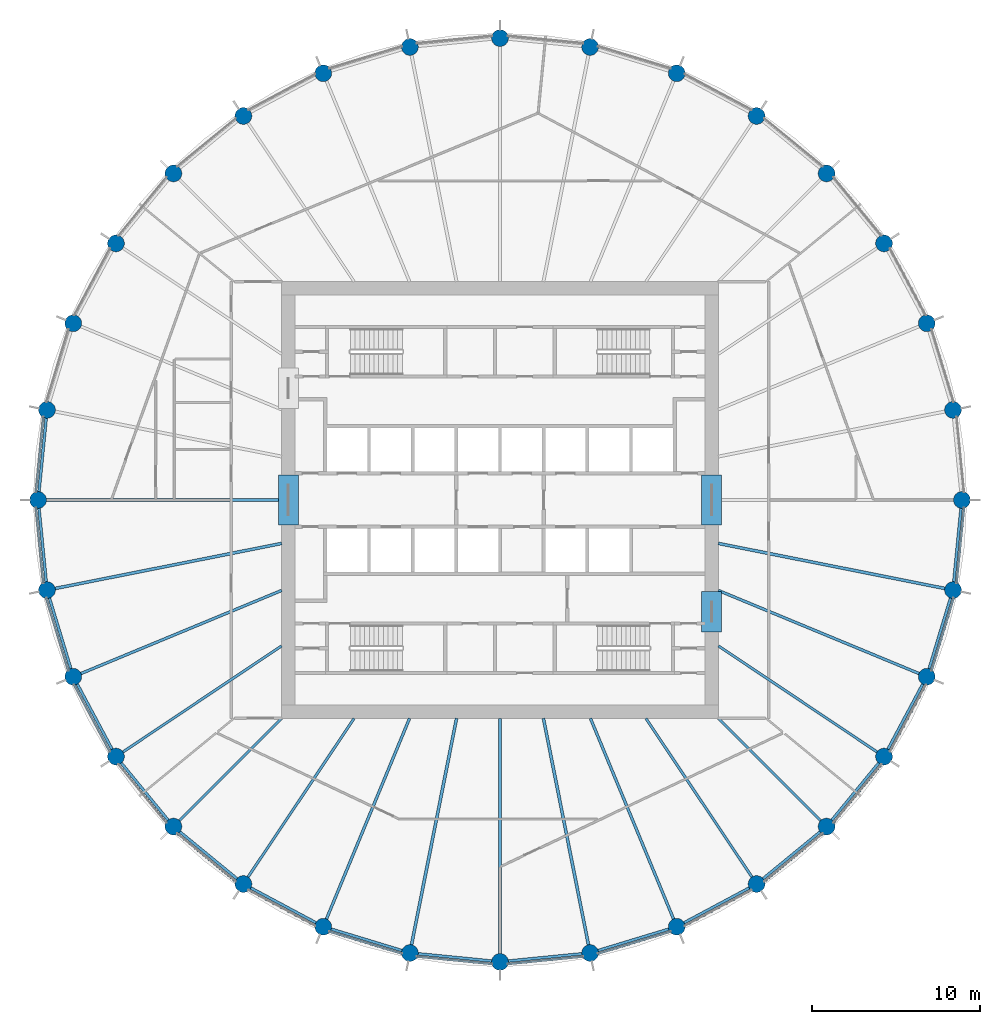
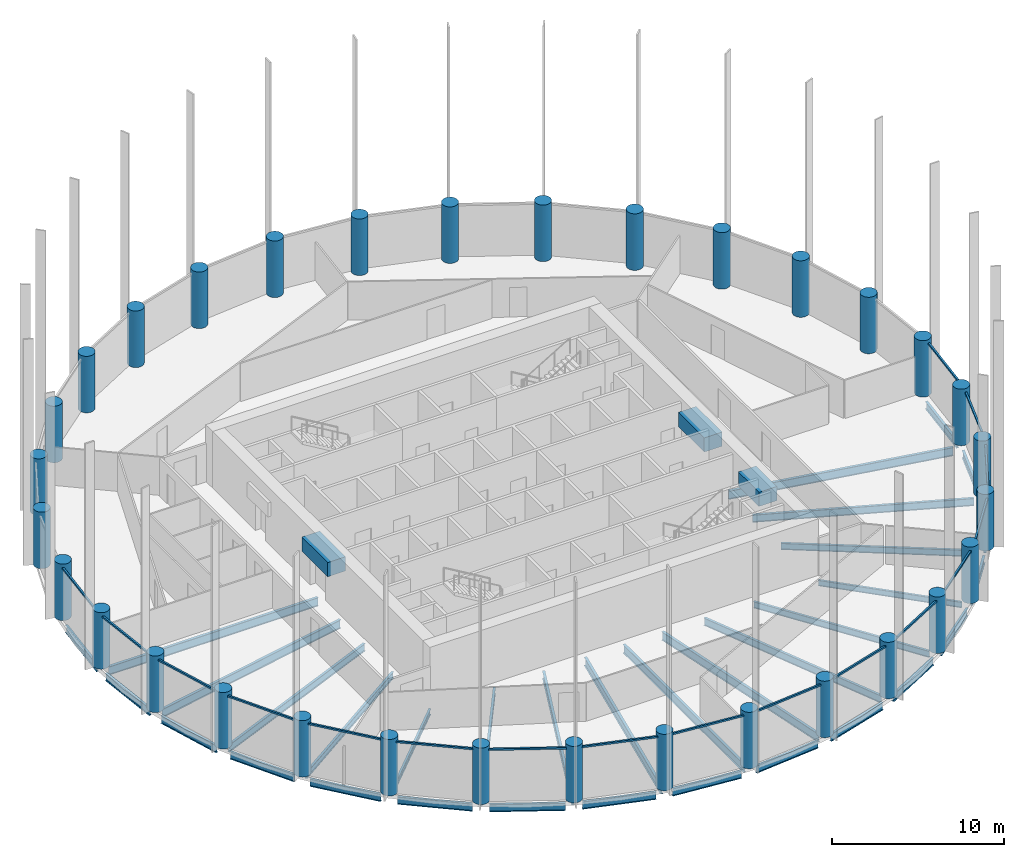
# One storey, part 1 of 8: 36 beams, 32 columns, 17 members, 17 elements without a shape of their own.
"""IFC4 building model written with IfcOpenShell, lengths in metres."""

from ifc_helpers import new_model, si_unit, direction, frame, origin, origin_2d, place, context, subcontext, project, spatial, rectangle, circle, i_section, extrude, material, material_profile, profile_set, type_object, element, aggregate, save


model = new_model("IFC4")

# Units and contexts
model_context = context("Model", 3, precision=1e-05, world=origin(), true_north=direction((0.0, 1.0)))
body_context = subcontext(model_context, "Body", "Model", "MODEL_VIEW")
ifc_project = project(units=[si_unit("LENGTHUNIT", "METRE"), si_unit("AREAUNIT", "SQUARE_METRE"), si_unit("VOLUMEUNIT", "CUBIC_METRE"), si_unit("PLANEANGLEUNIT", "RADIAN"), si_unit("MASSUNIT", "GRAM", prefix="KILO")], contexts=[model_context])

# Site, building, storey
site_placement = place(None, origin())
site = spatial("IfcSite", under=ifc_project, at=site_placement, CompositionType="ELEMENT")
building_placement = place(site_placement, origin())
building = spatial("IfcBuilding", under=site, at=building_placement, Name="Corvane Civic Tower", CompositionType="ELEMENT")
storey_placement = place(building_placement, frame((0.0, 0.0, 233.5)))
storey = spatial("IfcBuildingStorey", under=building, at=storey_placement, Name="L55", CompositionType="ELEMENT", Elevation=233.5)

# Columns
ifc_material_1 = material(Name="Concrete C60/75", Category="concrete")
ifc_material_profile_1 = material_profile(ifc_material_1, circle(Radius=0.5, at=origin_2d()), Name="COLUMN 1000")
ifc_profile_set_1 = profile_set([ifc_material_profile_1], Name="Concrete C60/75")
column_type = type_object("IfcColumnType", Name="RC COLUMN COLUMN 1000", PredefinedType="COLUMN", material=ifc_profile_set_1)
for number, where, z_axis, x_axis, name in (
    (1, (0.0, 27.5, 0.0), (0.0, 0.0, 1.0), (1.0, 0.0, 0.0), "COL-L55-D01"),
    (2, (5.364990234375, 26.9716796875, 0.0), (0.0, 0.0, 1.0), (1.0, 0.0, 0.0), "COL-L55-D02"),
    (3, (10.523681640625, 25.40673828125, 0.0), (0.0, 0.0, 1.0), (1.0, 0.0, 0.0), "COL-L55-D03"),
    (4, (15.278076171875, 22.865478515625, 0.0), (0.0, 0.0, 1.0), (1.0, 0.0, 0.0), "COL-L55-D04"),
    (5, (19.445556640625, 19.445556640625, 0.0), (0.0, 0.0, 1.0), (1.0, 0.0, 0.0), "COL-L55-D05"),
    (6, (22.865478515625, 15.278076171875, 0.0), (0.0, 0.0, 1.0), (1.0, 0.0, 0.0), "COL-L55-D06"),
    (7, (25.40673828125, 10.523681640625, 0.0), (0.0, 0.0, 1.0), (1.0, 0.0, 0.0), "COL-L55-D07"),
    (8, (26.9716796875, 5.364990234375, 0.0), (0.0, 0.0, 1.0), (1.0, 0.0, 0.0), "COL-L55-D08"),
    (9, (27.5, 0.0, 0.0), (0.0, 0.0, 1.0), (1.0, 0.0, 0.0), "COL-L55-D09"),
    (10, (26.9716796875, -5.364990234375, 0.0), (0.0, 0.0, 1.0), (1.0, 0.0, 0.0), "COL-L55-D10"),
    (11, (25.40673828125, -10.523681640625, 0.0), (0.0, 0.0, 1.0), (1.0, 0.0, 0.0), "COL-L55-D11"),
    (12, (22.865478515625, -15.278076171875, 0.0), (0.0, 0.0, 1.0), (1.0, 0.0, 0.0), "COL-L55-D12"),
    (13, (19.445556640625, -19.445556640625, 0.0), (0.0, 0.0, 1.0), (1.0, 0.0, 0.0), "COL-L55-D13"),
    (14, (15.278076171875, -22.865478515625, 0.0), (0.0, 0.0, 1.0), (1.0, 0.0, 0.0), "COL-L55-D14"),
    (15, (10.523681640625, -25.40673828125, 0.0), (0.0, 0.0, 1.0), (1.0, 0.0, 0.0), "COL-L55-D15"),
    (16, (5.364990234375, -26.9716796875, 0.0), (0.0, 0.0, 1.0), (1.0, 0.0, 0.0), "COL-L55-D16"),
    (17, (0.0, -27.5, 0.0), (0.0, 0.0, 1.0), (1.0, 0.0, 0.0), "COL-L55-D17"),
    (18, (-5.364990234375, -26.9716796875, 0.0), (0.0, 0.0, 1.0), (1.0, 0.0, 0.0), "COL-L55-D18"),
    (19, (-10.523681640625, -25.40673828125, 0.0), (0.0, 0.0, 1.0), (1.0, 0.0, 0.0), "COL-L55-D19"),
    (20, (-15.278076171875, -22.865478515625, 0.0), (0.0, 0.0, 1.0), (1.0, 0.0, 0.0), "COL-L55-D20"),
    (21, (-19.445556640625, -19.445556640625, 0.0), (0.0, 0.0, 1.0), (1.0, 0.0, 0.0), "COL-L55-D21"),
    (22, (-22.865478515625, -15.278076171875, 0.0), (0.0, 0.0, 1.0), (1.0, 0.0, 0.0), "COL-L55-D22"),
    (23, (-25.40673828125, -10.523681640625, 0.0), (0.0, 0.0, 1.0), (1.0, 0.0, 0.0), "COL-L55-D23"),
    (24, (-26.9716796875, -5.364990234375, 0.0), (0.0, 0.0, 1.0), (1.0, 0.0, 0.0), "COL-L55-D24"),
    (25, (-27.5, 0.0, 0.0), (0.0, 0.0, 1.0), (1.0, 0.0, 0.0), "COL-L55-D25"),
    (26, (-26.9716796875, 5.364990234375, 0.0), (0.0, 0.0, 1.0), (1.0, 0.0, 0.0), "COL-L55-D26"),
    (27, (-25.40673828125, 10.523681640625, 0.0), (0.0, 0.0, 1.0), (1.0, 0.0, 0.0), "COL-L55-D27"),
    (28, (-22.865478515625, 15.278076171875, 0.0), (0.0, 0.0, 1.0), (1.0, 0.0, 0.0), "COL-L55-D28"),
    (29, (-19.445556640625, 19.445556640625, 0.0), (0.0, 0.0, 1.0), (1.0, 0.0, 0.0), "COL-L55-D29"),
    (30, (-15.278076171875, 22.865478515625, 0.0), (0.0, 0.0, 1.0), (1.0, 0.0, 0.0), "COL-L55-D30"),
    (31, (-10.523681640625, 25.40673828125, 0.0), (0.0, 0.0, 1.0), (1.0, 0.0, 0.0), "COL-L55-D31"),
    (32, (-5.364990234375, 26.9716796875, 0.0), (0.0, 0.0, 1.0), (1.0, 0.0, 0.0), "COL-L55-D32"),
):
    element("IfcColumn", number, at=place(storey_placement, frame(where, z_axis=z_axis, x_axis=x_axis)), inside=storey, type_object=column_type, Name=name, PredefinedType="COLUMN", context=body_context, shape_type="SweptSolid", body=[
        extrude(circle(Radius=0.5, at=origin_2d()), origin(), (0.0, 0.0, 1.0), 4.0),
    ])

# Beams
ifc_material_2 = material(Name="Concrete C50/60", Category="concrete")
ifc_material_profile_2 = material_profile(ifc_material_2, rectangle(XDim=1.199951171875, YDim=1.0, at=origin_2d()), Name="COUPLING BEAM 1200X1000")
ifc_profile_set_2 = profile_set([ifc_material_profile_2], Name="Concrete C50/60")
beam_type_1 = type_object("IfcBeamType", Name="COUPLING BEAM COUPLING BEAM 1200X1000", PredefinedType="BEAM", material=ifc_profile_set_2)
for number, where, z_axis, x_axis, name in (
    (33, (-12.60009765625, -1.5, 2.60009765625), (0.0, 1.0, 0.0), (-1.0, 0.0, 0.0), "BM-L55-cpl-CW-LW"),
    (34, (12.60009765625, -1.5, 2.60009765625), (0.0, 1.0, 0.0), (-1.0, 0.0, 0.0), "BM-L55-cpl-CW-LE"),
):
    element("IfcBeam", number, at=place(storey_placement, frame(where, z_axis=z_axis, x_axis=x_axis)), inside=storey, type_object=beam_type_1, Name=name, PredefinedType="BEAM", context=body_context, shape_type="SweptSolid", body=[
        extrude(rectangle(XDim=1.199951171875, YDim=1.0, at=origin_2d()), origin(), (0.0, 0.0, 1.0), 3.0),
    ])
beam_1_placement = place(storey_placement, frame((12.60009765625, -7.85009765625, 2.60009765625), z_axis=(0.0, 1.0, 0.0), x_axis=(-1.0, 0.0, 0.0)))
element("IfcBeam", 35, at=beam_1_placement, inside=storey, type_object=beam_type_1, Name="BM-L55-cpl-CW-ES", PredefinedType="BEAM", context=body_context, shape_type="SweptSolid", body=[
    extrude(rectangle(XDim=1.199951171875, YDim=1.0, at=origin_2d()), origin(), (0.0, 0.0, 1.0), 2.400146484375),
])
ifc_material_3 = material(Name="Steel ASTM A992 Gr 50", Category="steel")
ifc_material_profile_3 = material_profile(ifc_material_3, i_section(OverallWidth=0.165771484375, OverallDepth=0.5283203125, WebThickness=0.009765625, FlangeThickness=0.013671875, at=origin_2d()), Name="W21X50")
ifc_profile_set_3 = profile_set([ifc_material_profile_3], Name="Steel ASTM A992 Gr 50")
beam_type_2 = type_object("IfcBeamType", Name="EDGE BEAM W21X50", PredefinedType="BEAM", material=ifc_profile_set_3)
beam_2_placement = place(storey_placement, frame((27.450927734375, -0.49755859375, -0.564208984375), z_axis=(-0.097967711281, -0.995189593769, 0.0), x_axis=(0.995189593769, -0.097967711281, 0.0)))
element("IfcBeam", 36, at=beam_2_placement, inside=storey, type_object=beam_type_2, Name="BM-L55-E09", PredefinedType="BEAM", context=body_context, shape_type="SweptSolid", body=[
    extrude(i_section(OverallWidth=0.165771484375, OverallDepth=0.5283203125, WebThickness=0.009765625, FlangeThickness=0.013671875, at=origin_2d()), origin(), (0.0, 0.0, 1.0), 4.39111328125),
])
beam_3_placement = place(storey_placement, frame((26.826416015625, -5.843505859375, -0.564208984375), z_axis=(-0.290254307888, -0.956949547653, 0.0), x_axis=(0.956949547653, -0.290254307888, 0.0)))
element("IfcBeam", 37, at=beam_3_placement, inside=storey, type_object=beam_type_2, Name="BM-L55-E10", PredefinedType="BEAM", context=body_context, shape_type="SweptSolid", body=[
    extrude(i_section(OverallWidth=0.165771484375, OverallDepth=0.5283203125, WebThickness=0.009765625, FlangeThickness=0.013671875, at=origin_2d()), origin(), (0.0, 0.0, 1.0), 4.390625),
])
for number, where, z_axis, x_axis, name in (
    (38, (25.171142578125, -10.964599609375, -0.564208984375), (-0.471422006704, -0.881907756852, 0.0), (0.881907756852, -0.471422006704, 0.0), "BM-L55-E11"),
    (39, (22.54833984375, -15.66455078125, -0.564208984375), (-0.634369433447, -0.773030026524, 0.0), (0.773030026524, -0.634369433447, 0.0), "BM-L55-E12"),
    (40, (19.05908203125, -19.7626953125, -0.564208984375), (-0.773030026524, -0.634369433447, 0.0), (0.634369433447, -0.773030026524, 0.0), "BM-L55-E13"),
    (41, (14.837158203125, -23.10107421875, -0.564208984375), (-0.881907756852, -0.471422006704, 0.0), (0.471422006704, -0.881907756852, 0.0), "BM-L55-E14"),
):
    element("IfcBeam", number, at=place(storey_placement, frame(where, z_axis=z_axis, x_axis=x_axis)), inside=storey, type_object=beam_type_2, Name=name, PredefinedType="BEAM", context=body_context, shape_type="SweptSolid", body=[
        extrude(i_section(OverallWidth=0.165771484375, OverallDepth=0.5283203125, WebThickness=0.009765625, FlangeThickness=0.013671875, at=origin_2d()), origin(), (0.0, 0.0, 1.0), 4.39111328125),
    ])
beam_4_placement = place(storey_placement, frame((10.045166015625, -25.552001953125, -0.564208984375), z_axis=(-0.956949547653, -0.290254307888, 0.0), x_axis=(0.290254307888, -0.956949547653, 0.0)))
element("IfcBeam", 42, at=beam_4_placement, inside=storey, type_object=beam_type_2, Name="BM-L55-E15", PredefinedType="BEAM", context=body_context, shape_type="SweptSolid", body=[
    extrude(i_section(OverallWidth=0.165771484375, OverallDepth=0.5283203125, WebThickness=0.009765625, FlangeThickness=0.013671875, at=origin_2d()), origin(), (0.0, 0.0, 1.0), 4.390625),
])
for number, where, z_axis, x_axis, name in (
    (43, (4.867431640625, -27.020751953125, -0.564208984375), (-0.995189593769, -0.097967711281, 0.0), (0.097967711281, -0.995189593769, 0.0), "BM-L55-E16"),
    (44, (-0.49755859375, -27.450927734375, -0.564208984375), (-0.995189593769, 0.097967711281, 0.0), (-0.097967711281, -0.995189593769, 0.0), "BM-L55-E17"),
):
    element("IfcBeam", number, at=place(storey_placement, frame(where, z_axis=z_axis, x_axis=x_axis)), inside=storey, type_object=beam_type_2, Name=name, PredefinedType="BEAM", context=body_context, shape_type="SweptSolid", body=[
        extrude(i_section(OverallWidth=0.165771484375, OverallDepth=0.5283203125, WebThickness=0.009765625, FlangeThickness=0.013671875, at=origin_2d()), origin(), (0.0, 0.0, 1.0), 4.39111328125),
    ])
beam_5_placement = place(storey_placement, frame((-5.843505859375, -26.826416015625, -0.564208984375), z_axis=(-0.956949547653, 0.290254307888, 0.0), x_axis=(-0.290254307888, -0.956949547653, 0.0)))
element("IfcBeam", 45, at=beam_5_placement, inside=storey, type_object=beam_type_2, Name="BM-L55-E18", PredefinedType="BEAM", context=body_context, shape_type="SweptSolid", body=[
    extrude(i_section(OverallWidth=0.165771484375, OverallDepth=0.5283203125, WebThickness=0.009765625, FlangeThickness=0.013671875, at=origin_2d()), origin(), (0.0, 0.0, 1.0), 4.390625),
])
for number, where, z_axis, x_axis, name in (
    (46, (-10.964599609375, -25.171142578125, -0.564208984375), (-0.881907756852, 0.471422006704, 0.0), (-0.471422006704, -0.881907756852, 0.0), "BM-L55-E19"),
    (47, (-15.66455078125, -22.54833984375, -0.564208984375), (-0.773030026524, 0.634369433447, 0.0), (-0.634369433447, -0.773030026524, 0.0), "BM-L55-E20"),
    (48, (-19.7626953125, -19.05908203125, -0.564208984375), (-0.634369433447, 0.773030026524, 0.0), (-0.773030026524, -0.634369433447, 0.0), "BM-L55-E21"),
    (49, (-23.10107421875, -14.837158203125, -0.564208984375), (-0.471422006704, 0.881907756852, 0.0), (-0.881907756852, -0.471422006704, 0.0), "BM-L55-E22"),
):
    element("IfcBeam", number, at=place(storey_placement, frame(where, z_axis=z_axis, x_axis=x_axis)), inside=storey, type_object=beam_type_2, Name=name, PredefinedType="BEAM", context=body_context, shape_type="SweptSolid", body=[
        extrude(i_section(OverallWidth=0.165771484375, OverallDepth=0.5283203125, WebThickness=0.009765625, FlangeThickness=0.013671875, at=origin_2d()), origin(), (0.0, 0.0, 1.0), 4.39111328125),
    ])
beam_6_placement = place(storey_placement, frame((-25.552001953125, -10.045166015625, -0.564208984375), z_axis=(-0.290254307888, 0.956949547653, 0.0), x_axis=(-0.956949547653, -0.290254307888, 0.0)))
element("IfcBeam", 50, at=beam_6_placement, inside=storey, type_object=beam_type_2, Name="BM-L55-E23", PredefinedType="BEAM", context=body_context, shape_type="SweptSolid", body=[
    extrude(i_section(OverallWidth=0.165771484375, OverallDepth=0.5283203125, WebThickness=0.009765625, FlangeThickness=0.013671875, at=origin_2d()), origin(), (0.0, 0.0, 1.0), 4.390625),
])
for number, where, z_axis, x_axis, name in (
    (51, (-27.020751953125, -4.867431640625, -0.564208984375), (-0.097967711281, 0.995189593769, 0.0), (-0.995189593769, -0.097967711281, 0.0), "BM-L55-E24"),
    (52, (-27.450927734375, 0.49755859375, -0.564208984375), (0.097967711281, 0.995189593769, 0.0), (-0.995189593769, 0.097967711281, 0.0), "BM-L55-E25"),
):
    element("IfcBeam", number, at=place(storey_placement, frame(where, z_axis=z_axis, x_axis=x_axis)), inside=storey, type_object=beam_type_2, Name=name, PredefinedType="BEAM", context=body_context, shape_type="SweptSolid", body=[
        extrude(i_section(OverallWidth=0.165771484375, OverallDepth=0.5283203125, WebThickness=0.009765625, FlangeThickness=0.013671875, at=origin_2d()), origin(), (0.0, 0.0, 1.0), 4.39111328125),
    ])
ifc_material_4 = material(Name="Steel ASTM A992 Gr 50", Category="steel")
ifc_material_profile_4 = material_profile(ifc_material_4, i_section(OverallWidth=0.140380859375, OverallDepth=0.40380859375, WebThickness=0.007080078125, FlangeThickness=0.01123046875, at=origin_2d()), Name="W16X31")
ifc_profile_set_4 = profile_set([ifc_material_profile_4], Name="Steel ASTM A992 Gr 50")
beam_type_3 = type_object("IfcBeamType", Name="FLOOR GIRDER W16X31", PredefinedType="BEAM", material=ifc_profile_set_4)
for number, where, z_axis, x_axis, name in (
    (53, (13.0, -13.0, -0.501953125), (0.707106781187, -0.707106781187, 0.0), (0.707106781187, 0.707106781187, 0.0), "BM-L55-G13"),
    (54, (-13.0, -13.0, -0.501953125), (-0.707106781187, -0.707106781187, 0.0), (0.707106781187, -0.707106781187, 0.0), "BM-L55-G21"),
):
    element("IfcBeam", number, at=place(storey_placement, frame(where, z_axis=z_axis, x_axis=x_axis)), inside=storey, type_object=beam_type_3, Name=name, PredefinedType="BEAM", context=body_context, shape_type="SweptSolid", body=[
        extrude(i_section(OverallWidth=0.140380859375, OverallDepth=0.40380859375, WebThickness=0.007080078125, FlangeThickness=0.01123046875, at=origin_2d()), origin(), (0.0, 0.0, 1.0), 8.614990234375),
    ])
ifc_material_5 = material(Name="Steel ASTM A992 Gr 50", Category="steel")
ifc_material_profile_5 = material_profile(ifc_material_5, i_section(OverallWidth=0.15283203125, OverallDepth=0.45458984375, WebThickness=0.008056640625, FlangeThickness=0.013427734375, at=origin_2d()), Name="W18X40")
ifc_profile_set_5 = profile_set([ifc_material_profile_5], Name="Steel ASTM A992 Gr 50")
beam_type_4 = type_object("IfcBeamType", Name="FLOOR GIRDER W18X40", PredefinedType="BEAM", material=ifc_profile_set_5)
for number, where, z_axis, x_axis, name in (
    (55, (13.0, -8.686279296875, -0.52734375), (0.831464872557, -0.555577326485, 0.0), (0.555577326485, 0.831464872557, 0.0), "BM-L55-G12"),
    (56, (8.686279296875, -13.0, -0.52734375), (0.555577326485, -0.831464872557, 0.0), (0.831464872557, 0.555577326485, 0.0), "BM-L55-G14"),
    (57, (-8.686279296875, -13.0, -0.52734375), (-0.555577326485, -0.831464872557, 0.0), (0.831464872557, -0.555577326485, 0.0), "BM-L55-G20"),
    (58, (-13.0, -8.686279296875, -0.52734375), (-0.831464872557, -0.555577326485, 0.0), (0.555577326485, -0.831464872557, 0.0), "BM-L55-G22"),
):
    element("IfcBeam", number, at=place(storey_placement, frame(where, z_axis=z_axis, x_axis=x_axis)), inside=storey, type_object=beam_type_4, Name=name, PredefinedType="BEAM", context=body_context, shape_type="SweptSolid", body=[
        extrude(i_section(OverallWidth=0.15283203125, OverallDepth=0.45458984375, WebThickness=0.008056640625, FlangeThickness=0.013427734375, at=origin_2d()), origin(), (0.0, 0.0, 1.0), 11.365234375),
    ])
ifc_material_6 = material(Name="Steel ASTM A992 Gr 50", Category="steel")
ifc_material_profile_6 = material_profile(ifc_material_6, i_section(OverallWidth=0.165771484375, OverallDepth=0.5283203125, WebThickness=0.009765625, FlangeThickness=0.013671875, at=origin_2d()), Name="W21X50")
ifc_profile_set_6 = profile_set([ifc_material_profile_6], Name="Steel ASTM A992 Gr 50")
beam_type_5 = type_object("IfcBeamType", Name="FLOOR GIRDER W21X50", PredefinedType="BEAM", material=ifc_profile_set_6)
for number, where, z_axis, x_axis, name in (
    (59, (13.0, -5.384765625, -0.564208984375), (0.923878282404, -0.382686450378, 0.0), (0.382686450378, 0.923878282404, 0.0), "BM-L55-G11"),
    (60, (5.384765625, -13.0, -0.564208984375), (0.382686450378, -0.923878282404, 0.0), (0.923878282404, 0.382686450378, 0.0), "BM-L55-G15"),
    (61, (-5.384765625, -13.0, -0.564208984375), (-0.382686450378, -0.923878282404, 0.0), (0.923878282404, -0.382686450378, 0.0), "BM-L55-G19"),
    (62, (-13.0, -5.384765625, -0.564208984375), (-0.923878282404, -0.382686450378, 0.0), (0.382686450378, -0.923878282404, 0.0), "BM-L55-G23"),
):
    element("IfcBeam", number, at=place(storey_placement, frame(where, z_axis=z_axis, x_axis=x_axis)), inside=storey, type_object=beam_type_5, Name=name, PredefinedType="BEAM", context=body_context, shape_type="SweptSolid", body=[
        extrude(i_section(OverallWidth=0.165771484375, OverallDepth=0.5283203125, WebThickness=0.009765625, FlangeThickness=0.013671875, at=origin_2d()), origin(), (0.0, 0.0, 1.0), 12.928955078125),
    ])
ifc_material_7 = material(Name="Steel ASTM A992 Gr 50", Category="steel")
ifc_material_profile_7 = material_profile(ifc_material_7, i_section(OverallWidth=0.177978515625, OverallDepth=0.599365234375, WebThickness=0.010009765625, FlangeThickness=0.012939453125, at=origin_2d()), Name="W24X55")
ifc_profile_set_7 = profile_set([ifc_material_profile_7], Name="Steel ASTM A992 Gr 50")
beam_type_6 = type_object("IfcBeamType", Name="FLOOR GIRDER W24X55", PredefinedType="BEAM", material=ifc_profile_set_7)
for number, where, z_axis, x_axis, name in (
    (63, (13.0, -2.5859375, -0.599609375), (0.980787802109, -0.195077644118, 0.0), (0.195077644118, 0.980787802109, 0.0), "BM-L55-G10"),
    (64, (2.5859375, -13.0, -0.599609375), (0.195077644118, -0.980787802109, 0.0), (0.980787802109, 0.195077644118, 0.0), "BM-L55-G16"),
):
    element("IfcBeam", number, at=place(storey_placement, frame(where, z_axis=z_axis, x_axis=x_axis)), inside=storey, type_object=beam_type_6, Name=name, PredefinedType="BEAM", context=body_context, shape_type="SweptSolid", body=[
        extrude(i_section(OverallWidth=0.177978515625, OverallDepth=0.599365234375, WebThickness=0.010009765625, FlangeThickness=0.012939453125, at=origin_2d()), origin(), (0.0, 0.0, 1.0), 13.745361328125),
    ])
beam_7_placement = place(storey_placement, frame((0.0, -13.0, -0.599609375), z_axis=(0.0, -1.0, 0.0), x_axis=(1.0, 0.0, 0.0)))
element("IfcBeam", 65, at=beam_7_placement, inside=storey, type_object=beam_type_6, Name="BM-L55-G17", PredefinedType="BEAM", context=body_context, shape_type="SweptSolid", body=[
    extrude(i_section(OverallWidth=0.177978515625, OverallDepth=0.599365234375, WebThickness=0.010009765625, FlangeThickness=0.012939453125, at=origin_2d()), origin(), (0.0, 0.0, 1.0), 14.0),
])
for number, where, z_axis, x_axis, name in (
    (66, (-2.5859375, -13.0, -0.599609375), (-0.195077644118, -0.980787802109, 0.0), (0.980787802109, -0.195077644118, 0.0), "BM-L55-G18"),
    (67, (-13.0, -2.5859375, -0.599609375), (-0.980787802109, -0.195077644118, 0.0), (0.195077644118, -0.980787802109, 0.0), "BM-L55-G24"),
):
    element("IfcBeam", number, at=place(storey_placement, frame(where, z_axis=z_axis, x_axis=x_axis)), inside=storey, type_object=beam_type_6, Name=name, PredefinedType="BEAM", context=body_context, shape_type="SweptSolid", body=[
        extrude(i_section(OverallWidth=0.177978515625, OverallDepth=0.599365234375, WebThickness=0.010009765625, FlangeThickness=0.012939453125, at=origin_2d()), origin(), (0.0, 0.0, 1.0), 13.745361328125),
    ])
beam_8_placement = place(storey_placement, frame((-13.0, 0.0, -0.599609375), z_axis=(-1.0, 0.0, 0.0), x_axis=(0.0, -1.0, 0.0)))
element("IfcBeam", 68, at=beam_8_placement, inside=storey, type_object=beam_type_6, Name="BM-L55-G25", PredefinedType="BEAM", context=body_context, shape_type="SweptSolid", body=[
    extrude(i_section(OverallWidth=0.177978515625, OverallDepth=0.599365234375, WebThickness=0.010009765625, FlangeThickness=0.012939453125, at=origin_2d()), origin(), (0.0, 0.0, 1.0), 14.0),
])

# Curtain wall, member
ifc_material_8 = material(Name="Anodised aluminium bronze", Category="aluminium")
curtain_wall_type = type_object("IfcCurtainWallType", Name="TOWER CW-T2 STICK CURTAIN WALL", PredefinedType="NOTDEFINED", material=ifc_material_8)
curtain_wall_1_placement = place(storey_placement, origin())
curtain_wall_1 = element("IfcCurtainWall", 69, at=curtain_wall_1_placement, inside=storey, type_object=curtain_wall_type, Name="Curtain wall CW-T2 L55 bay 09", PredefinedType="NOTDEFINED")
ifc_material_9 = material(Name="Anodised aluminium bronze", Category="aluminium")
ifc_material_profile_8 = material_profile(ifc_material_9, rectangle(XDim=0.1201171875, YDim=0.1201171875, at=origin_2d()), Name="TOWER CW-T2 TRANSOM 120x120")
ifc_profile_set_8 = profile_set([ifc_material_profile_8], Name="Anodised aluminium bronze")
member_type = type_object("IfcMemberType", Name="TOWER CW-T2 TRANSOM 120x120", PredefinedType="USERDEFINED", material=ifc_profile_set_8)
member_1_placement = place(storey_placement, frame((27.635498046875, -0.452392578125, 3.68994140625), z_axis=(-0.098042715701, -0.995182207386, 0.0), x_axis=(0.995182207386, -0.098042715701, 0.0)))
member_1 = element("IfcMember", 70, at=member_1_placement, type_object=member_type, Name="Transom CW-T2 L55 09.1", ObjectType="TRANSOM", PredefinedType="USERDEFINED", context=body_context, shape_type="SweptSolid", body=[
    extrude(rectangle(XDim=0.1201171875, YDim=0.1201171875, at=origin_2d()), origin(), (0.0, 0.0, 1.0), 4.51708984375),
])
aggregate(curtain_wall_1, [member_1])

curtain_wall_2_placement = place(storey_placement, origin())
curtain_wall_2 = element("IfcCurtainWall", 71, at=curtain_wall_2_placement, inside=storey, type_object=curtain_wall_type, Name="Curtain wall CW-T2 L55 bay 10", PredefinedType="NOTDEFINED")
member_2_placement = place(storey_placement, frame((27.016357421875, -5.8349609375, 3.68994140625), z_axis=(-0.2902818869, -0.956941182173, 0.0), x_axis=(0.956941182173, -0.2902818869, 0.0)))
member_2 = element("IfcMember", 72, at=member_2_placement, type_object=member_type, Name="Transom CW-T2 L55 10.1", ObjectType="TRANSOM", PredefinedType="USERDEFINED", context=body_context, shape_type="SweptSolid", body=[
    extrude(rectangle(XDim=0.1201171875, YDim=0.1201171875, at=origin_2d()), origin(), (0.0, 0.0, 1.0), 4.517333984375),
])
aggregate(curtain_wall_2, [member_2])

curtain_wall_3_placement = place(storey_placement, origin())
curtain_wall_3 = element("IfcCurtainWall", 73, at=curtain_wall_3_placement, inside=storey, type_object=curtain_wall_type, Name="Curtain wall CW-T2 L55 bay 11", PredefinedType="NOTDEFINED")
member_3_placement = place(storey_placement, frame((25.35888671875, -10.993408203125, 3.68994140625), z_axis=(-0.471390317183, -0.881924695689, 0.0), x_axis=(0.881924695689, -0.471390317183, 0.0)))
member_3 = element("IfcMember", 74, at=member_3_placement, type_object=member_type, Name="Transom CW-T2 L55 11.1", ObjectType="TRANSOM", PredefinedType="USERDEFINED", context=body_context, shape_type="SweptSolid", body=[
    extrude(rectangle(XDim=0.1201171875, YDim=0.1201171875, at=origin_2d()), origin(), (0.0, 0.0, 1.0), 4.517333984375),
])
aggregate(curtain_wall_3, [member_3])

curtain_wall_4_placement = place(storey_placement, origin())
curtain_wall_4 = element("IfcCurtainWall", 75, at=curtain_wall_4_placement, inside=storey, type_object=curtain_wall_type, Name="Curtain wall CW-T2 L55 bay 12", PredefinedType="NOTDEFINED")
member_4_placement = place(storey_placement, frame((22.726806640625, -15.7294921875, 3.68994140625), z_axis=(-0.634387834569, -0.773014925698, 0.0), x_axis=(0.773014925698, -0.634387834569, 0.0)))
member_4 = element("IfcMember", 76, at=member_4_placement, type_object=member_type, Name="Transom CW-T2 L55 12.1", ObjectType="TRANSOM", PredefinedType="USERDEFINED", context=body_context, shape_type="SweptSolid", body=[
    extrude(rectangle(XDim=0.1201171875, YDim=0.1201171875, at=origin_2d()), origin(), (0.0, 0.0, 1.0), 4.517333984375),
])
aggregate(curtain_wall_4, [member_4])

curtain_wall_5_placement = place(storey_placement, origin())
curtain_wall_5 = element("IfcCurtainWall", 77, at=curtain_wall_5_placement, inside=storey, type_object=curtain_wall_type, Name="Curtain wall CW-T2 L55 bay 13", PredefinedType="NOTDEFINED")
member_5_placement = place(storey_placement, frame((19.221435546875, -19.861083984375, 3.68994140625), z_axis=(-0.773014925698, -0.634387834569, 0.0), x_axis=(0.634387834569, -0.773014925698, 0.0)))
member_5 = element("IfcMember", 78, at=member_5_placement, type_object=member_type, Name="Transom CW-T2 L55 13.1", ObjectType="TRANSOM", PredefinedType="USERDEFINED", context=body_context, shape_type="SweptSolid", body=[
    extrude(rectangle(XDim=0.1201171875, YDim=0.1201171875, at=origin_2d()), origin(), (0.0, 0.0, 1.0), 4.517333984375),
])
aggregate(curtain_wall_5, [member_5])

curtain_wall_6_placement = place(storey_placement, origin())
curtain_wall_6 = element("IfcCurtainWall", 79, at=curtain_wall_6_placement, inside=storey, type_object=curtain_wall_type, Name="Curtain wall CW-T2 L55 bay 14", PredefinedType="NOTDEFINED")
member_6_placement = place(storey_placement, frame((14.977294921875, -23.2294921875, 3.68994140625), z_axis=(-0.881924695689, -0.471390317183, 0.0), x_axis=(0.471390317183, -0.881924695689, 0.0)))
member_6 = element("IfcMember", 80, at=member_6_placement, type_object=member_type, Name="Transom CW-T2 L55 14.1", ObjectType="TRANSOM", PredefinedType="USERDEFINED", context=body_context, shape_type="SweptSolid", body=[
    extrude(rectangle(XDim=0.1201171875, YDim=0.1201171875, at=origin_2d()), origin(), (0.0, 0.0, 1.0), 4.517333984375),
])
aggregate(curtain_wall_6, [member_6])

curtain_wall_7_placement = place(storey_placement, origin())
curtain_wall_7 = element("IfcCurtainWall", 81, at=curtain_wall_7_placement, inside=storey, type_object=curtain_wall_type, Name="Curtain wall CW-T2 L55 bay 15", PredefinedType="NOTDEFINED")
member_7_placement = place(storey_placement, frame((10.15771484375, -25.705078125, 3.68994140625), z_axis=(-0.956941182173, -0.2902818869, 0.0), x_axis=(0.2902818869, -0.956941182173, 0.0)))
member_7 = element("IfcMember", 82, at=member_7_placement, type_object=member_type, Name="Transom CW-T2 L55 15.1", ObjectType="TRANSOM", PredefinedType="USERDEFINED", context=body_context, shape_type="SweptSolid", body=[
    extrude(rectangle(XDim=0.1201171875, YDim=0.1201171875, at=origin_2d()), origin(), (0.0, 0.0, 1.0), 4.517333984375),
])
aggregate(curtain_wall_7, [member_7])

curtain_wall_8_placement = place(storey_placement, origin())
curtain_wall_8 = element("IfcCurtainWall", 83, at=curtain_wall_8_placement, inside=storey, type_object=curtain_wall_type, Name="Curtain wall CW-T2 L55 bay 16", PredefinedType="NOTDEFINED")
member_8_placement = place(storey_placement, frame((4.94775390625, -27.192626953125, 3.68994140625), z_axis=(-0.995182207386, -0.098042715701, 0.0), x_axis=(0.098042715701, -0.995182207386, 0.0)))
member_8 = element("IfcMember", 84, at=member_8_placement, type_object=member_type, Name="Transom CW-T2 L55 16.1", ObjectType="TRANSOM", PredefinedType="USERDEFINED", context=body_context, shape_type="SweptSolid", body=[
    extrude(rectangle(XDim=0.1201171875, YDim=0.1201171875, at=origin_2d()), origin(), (0.0, 0.0, 1.0), 4.51708984375),
])
aggregate(curtain_wall_8, [member_8])

curtain_wall_9_placement = place(storey_placement, origin())
curtain_wall_9 = element("IfcCurtainWall", 85, at=curtain_wall_9_placement, inside=storey, type_object=curtain_wall_type, Name="Curtain wall CW-T2 L55 bay 17", PredefinedType="NOTDEFINED")
member_9_placement = place(storey_placement, frame((-0.452392578125, -27.635498046875, 3.68994140625), z_axis=(-0.995182207386, 0.098042715701, 0.0), x_axis=(-0.098042715701, -0.995182207386, 0.0)))
member_9 = element("IfcMember", 86, at=member_9_placement, type_object=member_type, Name="Transom CW-T2 L55 17.1", ObjectType="TRANSOM", PredefinedType="USERDEFINED", context=body_context, shape_type="SweptSolid", body=[
    extrude(rectangle(XDim=0.1201171875, YDim=0.1201171875, at=origin_2d()), origin(), (0.0, 0.0, 1.0), 4.51708984375),
])
aggregate(curtain_wall_9, [member_9])

curtain_wall_10_placement = place(storey_placement, origin())
curtain_wall_10 = element("IfcCurtainWall", 87, at=curtain_wall_10_placement, inside=storey, type_object=curtain_wall_type, Name="Curtain wall CW-T2 L55 bay 18", PredefinedType="NOTDEFINED")
member_10_placement = place(storey_placement, frame((-5.8349609375, -27.016357421875, 3.68994140625), z_axis=(-0.956941182173, 0.2902818869, 0.0), x_axis=(-0.2902818869, -0.956941182173, 0.0)))
member_10 = element("IfcMember", 88, at=member_10_placement, type_object=member_type, Name="Transom CW-T2 L55 18.1", ObjectType="TRANSOM", PredefinedType="USERDEFINED", context=body_context, shape_type="SweptSolid", body=[
    extrude(rectangle(XDim=0.1201171875, YDim=0.1201171875, at=origin_2d()), origin(), (0.0, 0.0, 1.0), 4.517333984375),
])
aggregate(curtain_wall_10, [member_10])

curtain_wall_11_placement = place(storey_placement, origin())
curtain_wall_11 = element("IfcCurtainWall", 89, at=curtain_wall_11_placement, inside=storey, type_object=curtain_wall_type, Name="Curtain wall CW-T2 L55 bay 19", PredefinedType="NOTDEFINED")
member_11_placement = place(storey_placement, frame((-10.993408203125, -25.35888671875, 3.68994140625), z_axis=(-0.881924695689, 0.471390317183, 0.0), x_axis=(-0.471390317183, -0.881924695689, 0.0)))
member_11 = element("IfcMember", 90, at=member_11_placement, type_object=member_type, Name="Transom CW-T2 L55 19.1", ObjectType="TRANSOM", PredefinedType="USERDEFINED", context=body_context, shape_type="SweptSolid", body=[
    extrude(rectangle(XDim=0.1201171875, YDim=0.1201171875, at=origin_2d()), origin(), (0.0, 0.0, 1.0), 4.517333984375),
])
aggregate(curtain_wall_11, [member_11])

curtain_wall_12_placement = place(storey_placement, origin())
curtain_wall_12 = element("IfcCurtainWall", 91, at=curtain_wall_12_placement, inside=storey, type_object=curtain_wall_type, Name="Curtain wall CW-T2 L55 bay 20", PredefinedType="NOTDEFINED")
member_12_placement = place(storey_placement, frame((-15.7294921875, -22.726806640625, 3.68994140625), z_axis=(-0.773014925698, 0.634387834569, 0.0), x_axis=(-0.634387834569, -0.773014925698, 0.0)))
member_12 = element("IfcMember", 92, at=member_12_placement, type_object=member_type, Name="Transom CW-T2 L55 20.1", ObjectType="TRANSOM", PredefinedType="USERDEFINED", context=body_context, shape_type="SweptSolid", body=[
    extrude(rectangle(XDim=0.1201171875, YDim=0.1201171875, at=origin_2d()), origin(), (0.0, 0.0, 1.0), 4.517333984375),
])
aggregate(curtain_wall_12, [member_12])

curtain_wall_13_placement = place(storey_placement, origin())
curtain_wall_13 = element("IfcCurtainWall", 93, at=curtain_wall_13_placement, inside=storey, type_object=curtain_wall_type, Name="Curtain wall CW-T2 L55 bay 21", PredefinedType="NOTDEFINED")
member_13_placement = place(storey_placement, frame((-19.861083984375, -19.221435546875, 3.68994140625), z_axis=(-0.634387834569, 0.773014925698, 0.0), x_axis=(-0.773014925698, -0.634387834569, 0.0)))
member_13 = element("IfcMember", 94, at=member_13_placement, type_object=member_type, Name="Transom CW-T2 L55 21.1", ObjectType="TRANSOM", PredefinedType="USERDEFINED", context=body_context, shape_type="SweptSolid", body=[
    extrude(rectangle(XDim=0.1201171875, YDim=0.1201171875, at=origin_2d()), origin(), (0.0, 0.0, 1.0), 4.517333984375),
])
aggregate(curtain_wall_13, [member_13])

curtain_wall_14_placement = place(storey_placement, origin())
curtain_wall_14 = element("IfcCurtainWall", 95, at=curtain_wall_14_placement, inside=storey, type_object=curtain_wall_type, Name="Curtain wall CW-T2 L55 bay 22", PredefinedType="NOTDEFINED")
member_14_placement = place(storey_placement, frame((-23.2294921875, -14.977294921875, 3.68994140625), z_axis=(-0.471390317183, 0.881924695689, 0.0), x_axis=(-0.881924695689, -0.471390317183, 0.0)))
member_14 = element("IfcMember", 96, at=member_14_placement, type_object=member_type, Name="Transom CW-T2 L55 22.1", ObjectType="TRANSOM", PredefinedType="USERDEFINED", context=body_context, shape_type="SweptSolid", body=[
    extrude(rectangle(XDim=0.1201171875, YDim=0.1201171875, at=origin_2d()), origin(), (0.0, 0.0, 1.0), 4.517333984375),
])
aggregate(curtain_wall_14, [member_14])

curtain_wall_15_placement = place(storey_placement, origin())
curtain_wall_15 = element("IfcCurtainWall", 97, at=curtain_wall_15_placement, inside=storey, type_object=curtain_wall_type, Name="Curtain wall CW-T2 L55 bay 23", PredefinedType="NOTDEFINED")
member_15_placement = place(storey_placement, frame((-25.705078125, -10.15771484375, 3.68994140625), z_axis=(-0.2902818869, 0.956941182173, 0.0), x_axis=(-0.956941182173, -0.2902818869, 0.0)))
member_15 = element("IfcMember", 98, at=member_15_placement, type_object=member_type, Name="Transom CW-T2 L55 23.1", ObjectType="TRANSOM", PredefinedType="USERDEFINED", context=body_context, shape_type="SweptSolid", body=[
    extrude(rectangle(XDim=0.1201171875, YDim=0.1201171875, at=origin_2d()), origin(), (0.0, 0.0, 1.0), 4.517333984375),
])
aggregate(curtain_wall_15, [member_15])

curtain_wall_16_placement = place(storey_placement, origin())
curtain_wall_16 = element("IfcCurtainWall", 99, at=curtain_wall_16_placement, inside=storey, type_object=curtain_wall_type, Name="Curtain wall CW-T2 L55 bay 24", PredefinedType="NOTDEFINED")
member_16_placement = place(storey_placement, frame((-27.192626953125, -4.94775390625, 3.68994140625), z_axis=(-0.098042715701, 0.995182207386, 0.0), x_axis=(-0.995182207386, -0.098042715701, 0.0)))
member_16 = element("IfcMember", 100, at=member_16_placement, type_object=member_type, Name="Transom CW-T2 L55 24.1", ObjectType="TRANSOM", PredefinedType="USERDEFINED", context=body_context, shape_type="SweptSolid", body=[
    extrude(rectangle(XDim=0.1201171875, YDim=0.1201171875, at=origin_2d()), origin(), (0.0, 0.0, 1.0), 4.51708984375),
])
aggregate(curtain_wall_16, [member_16])

curtain_wall_17_placement = place(storey_placement, origin())
curtain_wall_17 = element("IfcCurtainWall", 101, at=curtain_wall_17_placement, inside=storey, type_object=curtain_wall_type, Name="Curtain wall CW-T2 L55 bay 25", PredefinedType="NOTDEFINED")
member_17_placement = place(storey_placement, frame((-27.635498046875, 0.452392578125, 3.68994140625), z_axis=(0.098042715701, 0.995182207386, 0.0), x_axis=(-0.995182207386, 0.098042715701, 0.0)))
member_17 = element("IfcMember", 102, at=member_17_placement, type_object=member_type, Name="Transom CW-T2 L55 25.1", ObjectType="TRANSOM", PredefinedType="USERDEFINED", context=body_context, shape_type="SweptSolid", body=[
    extrude(rectangle(XDim=0.1201171875, YDim=0.1201171875, at=origin_2d()), origin(), (0.0, 0.0, 1.0), 4.51708984375),
])
aggregate(curtain_wall_17, [member_17])

save(model, "model.ifc")
